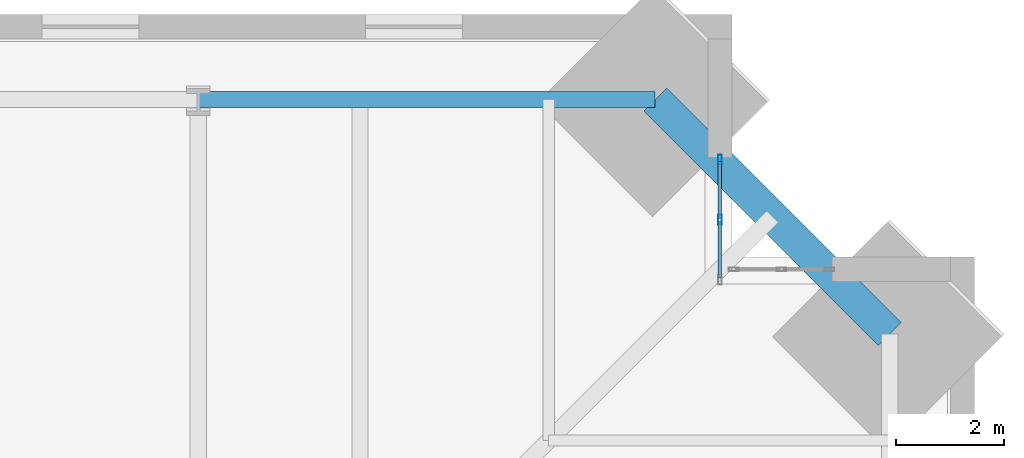
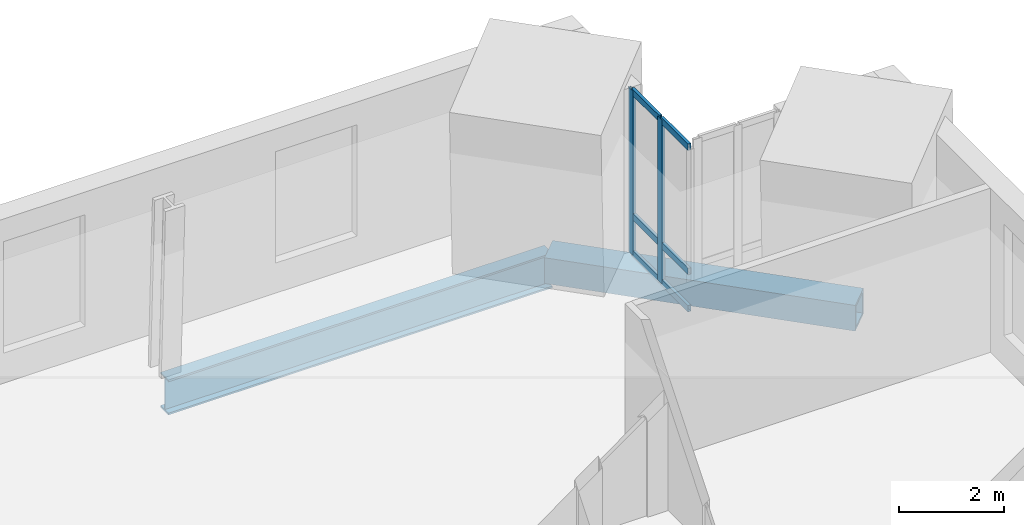
# One storey, part 11 of 18: 8 members, 2 beams, 1 element without a shape of its own.
"""IFC4 building model written with IfcOpenShell, lengths in metres."""

from ifc_helpers import new_model, si_unit, direction, frame, origin, origin_2d, place, context, subcontext, project, spatial, hollow_rectangle, i_section, extrude, material, material_profile, profile_set, type_object, element, aggregate, save


model = new_model("IFC4")

# Units and contexts
model_context = context("Model", 3, precision=1e-05, world=origin(), true_north=direction((0.0, 1.0)))
body_context = subcontext(model_context, "Body", "Model", "MODEL_VIEW")
ifc_project = project(units=[si_unit("LENGTHUNIT", "METRE"), si_unit("AREAUNIT", "SQUARE_METRE"), si_unit("VOLUMEUNIT", "CUBIC_METRE"), si_unit("PLANEANGLEUNIT", "RADIAN"), si_unit("MASSUNIT", "GRAM", prefix="KILO")], contexts=[model_context])

# Site, building, storey
site_placement = place(None, origin())
site = spatial("IfcSite", under=ifc_project, at=site_placement, CompositionType="ELEMENT")
building_placement = place(site_placement, origin())
building = spatial("IfcBuilding", under=site, at=building_placement, Name="Peilmerk Tower", CompositionType="ELEMENT")
storey_placement = place(building_placement, frame((0.0, 0.0, 249.800048828125)))
storey = spatial("IfcBuildingStorey", under=building, at=storey_placement, Name="L55", CompositionType="ELEMENT", Elevation=249.800048828125)

# Beams
ifc_material_1 = material(Name="Steel S355", Category="steel")
ifc_material_profile_1 = material_profile(ifc_material_1, i_section(OverallWidth=0.302978515625, OverallDepth=0.81396484375, WebThickness=0.02099609375, FlangeThickness=0.0400390625, at=origin_2d()), Name="HEM 800")
ifc_profile_set_1 = profile_set([ifc_material_profile_1], Name="Steel S355")
beam_type_1 = type_object("IfcBeamType", Name="B15 HEM 800 edge beam", PredefinedType="SPANDREL", material=ifc_profile_set_1)
beam_1_placement = place(storey_placement, frame((16.47412109375, 20.82421875, -0.5771484375), z_axis=(-1.0, 0.0, 0.0), x_axis=(0.0, -1.0, 0.0)))
element("IfcBeam", 1, at=beam_1_placement, inside=storey, type_object=beam_type_1, Name="Edge beam L55", PredefinedType="SPANDREL", context=body_context, shape_type="SweptSolid", body=[
    extrude(i_section(OverallWidth=0.302978515625, OverallDepth=0.81396484375, WebThickness=0.02099609375, FlangeThickness=0.0400390625, at=origin_2d()), origin(), (0.0, 0.0, 1.0), 8.47412109375),
])
ifc_material_2 = material(Name="Steel S460", Category="steel")
ifc_material_profile_2 = material_profile(ifc_material_2, hollow_rectangle(XDim=0.60009765625, YDim=0.60009765625, WallThickness=0.06005859375, at=origin_2d()), Name="BOX 600x600x60")
ifc_profile_set_2 = profile_set([ifc_material_profile_2], Name="Steel S460")
beam_type_2 = type_object("IfcBeamType", Name="B20 BOX 600x600x60 notch beam", PredefinedType="SPANDREL", material=ifc_profile_set_2)
beam_2_placement = place(storey_placement, frame((16.47412109375, 20.82421875, -0.469970703125), z_axis=(0.707106781187, -0.707106781187, 0.0), x_axis=(0.707106781187, 0.707106781187, 0.0)))
element("IfcBeam", 2, at=beam_2_placement, inside=storey, type_object=beam_type_2, Name="Notch beam L55", PredefinedType="SPANDREL", context=body_context, shape_type="SweptSolid", body=[
    extrude(hollow_rectangle(XDim=0.60009765625, YDim=0.60009765625, WallThickness=0.06005859375, at=origin_2d()), origin(), (0.0, 0.0, 1.0), 6.15185546875),
])

# Curtain wall, members
ifc_material_3 = material(Name="Aluminium stick curtain wall", Category="aluminium")
curtain_wall_type = type_object("IfcCurtainWallType", Name="CW4 stick curtain wall, 2250 module", PredefinedType="NOTDEFINED", material=ifc_material_3)
curtain_wall_placement = place(storey_placement, origin())
curtain_wall = element("IfcCurtainWall", 3, at=curtain_wall_placement, inside=storey, type_object=curtain_wall_type, Name="Curtain wall CW4 NEA L55", PredefinedType="NOTDEFINED")
ifc_material_4 = material(Name="Aluminium EN AW-6063 T6", Category="aluminium")
ifc_material_profile_3 = material_profile(ifc_material_4, hollow_rectangle(XDim=0.06494140625, YDim=0.179931640625, WallThickness=0.0029296875, at=origin_2d()), Name="AL 180x65x3")
ifc_profile_set_3 = profile_set([ifc_material_profile_3], Name="Aluminium EN AW-6063 T6")
member_type_1 = type_object("IfcMemberType", Name="CW4-M AL 180x65x3 mullion", PredefinedType="MULLION", material=ifc_profile_set_3)
member_1_placement = place(storey_placement, frame((17.675048828125, 18.59423828125, 0.0), z_axis=(0.0, 0.0, 1.0), x_axis=(-1.0, 0.0, 0.0)))
member_1 = element("IfcMember", 4, at=member_1_placement, type_object=member_type_1, Name="CW4 mullion 2", PredefinedType="MULLION", context=body_context, shape_type="SweptSolid", body=[
    extrude(hollow_rectangle(XDim=0.06494140625, YDim=0.179931640625, WallThickness=0.0029296875, at=origin_2d()), origin(), (0.0, 0.0, 1.0), 3.829833984375),
])
member_2_placement = place(storey_placement, frame((17.675048828125, 19.706298828125, 0.0), z_axis=(0.0, 0.0, 1.0), x_axis=(-1.0, 0.0, 0.0)))
member_2 = element("IfcMember", 5, at=member_2_placement, type_object=member_type_1, Name="CW4 mullion 3", PredefinedType="MULLION", context=body_context, shape_type="SweptSolid", body=[
    extrude(hollow_rectangle(XDim=0.06494140625, YDim=0.179931640625, WallThickness=0.0029296875, at=origin_2d()), origin(), (0.0, 0.0, 1.0), 3.829833984375),
])
ifc_material_profile_4 = material_profile(ifc_material_4, hollow_rectangle(XDim=0.06494140625, YDim=0.14990234375, WallThickness=0.0029296875, at=origin_2d()), Name="AL 150x65x3")
ifc_profile_set_4 = profile_set([ifc_material_profile_4], Name="Aluminium EN AW-6063 T6")
member_type_2 = type_object("IfcMemberType", Name="CW4-T AL 150x65x3 transom", PredefinedType="USERDEFINED", material=ifc_profile_set_4)
member_3_placement = place(storey_placement, frame((17.675048828125, 17.514892578125, 0.032470703125), z_axis=(0.0, 1.0, 0.0), x_axis=(-1.0, 0.0, 0.0)))
member_3 = element("IfcMember", 6, at=member_3_placement, type_object=member_type_2, Name="CW4 transom 1.1", ObjectType="TRANSOM", PredefinedType="USERDEFINED", context=body_context, shape_type="SweptSolid", body=[
    extrude(hollow_rectangle(XDim=0.06494140625, YDim=0.14990234375, WallThickness=0.0029296875, at=origin_2d()), origin(), (0.0, 0.0, 1.0), 1.046875),
])
member_4_placement = place(storey_placement, frame((17.675048828125, 17.514892578125, 0.89990234375), z_axis=(0.0, 1.0, 0.0), x_axis=(-1.0, 0.0, 0.0)))
member_4 = element("IfcMember", 7, at=member_4_placement, type_object=member_type_2, Name="CW4 transom 1.2", ObjectType="TRANSOM", PredefinedType="USERDEFINED", context=body_context, shape_type="SweptSolid", body=[
    extrude(hollow_rectangle(XDim=0.06494140625, YDim=0.14990234375, WallThickness=0.0029296875, at=origin_2d()), origin(), (0.0, 0.0, 1.0), 1.046875),
])
member_5_placement = place(storey_placement, frame((17.675048828125, 17.514892578125, 3.79736328125), z_axis=(0.0, 1.0, 0.0), x_axis=(-1.0, 0.0, 0.0)))
member_5 = element("IfcMember", 8, at=member_5_placement, type_object=member_type_2, Name="CW4 transom 1.3", ObjectType="TRANSOM", PredefinedType="USERDEFINED", context=body_context, shape_type="SweptSolid", body=[
    extrude(hollow_rectangle(XDim=0.06494140625, YDim=0.14990234375, WallThickness=0.0029296875, at=origin_2d()), origin(), (0.0, 0.0, 1.0), 1.046875),
])
member_6_placement = place(storey_placement, frame((17.675048828125, 18.626953125, 0.032470703125), z_axis=(0.0, 1.0, 0.0), x_axis=(-1.0, 0.0, 0.0)))
member_6 = element("IfcMember", 9, at=member_6_placement, type_object=member_type_2, Name="CW4 transom 2.1", ObjectType="TRANSOM", PredefinedType="USERDEFINED", context=body_context, shape_type="SweptSolid", body=[
    extrude(hollow_rectangle(XDim=0.06494140625, YDim=0.14990234375, WallThickness=0.0029296875, at=origin_2d()), origin(), (0.0, 0.0, 1.0), 1.046630859375),
])
member_7_placement = place(storey_placement, frame((17.675048828125, 18.626953125, 0.89990234375), z_axis=(0.0, 1.0, 0.0), x_axis=(-1.0, 0.0, 0.0)))
member_7 = element("IfcMember", 10, at=member_7_placement, type_object=member_type_2, Name="CW4 transom 2.2", ObjectType="TRANSOM", PredefinedType="USERDEFINED", context=body_context, shape_type="SweptSolid", body=[
    extrude(hollow_rectangle(XDim=0.06494140625, YDim=0.14990234375, WallThickness=0.0029296875, at=origin_2d()), origin(), (0.0, 0.0, 1.0), 1.046630859375),
])
member_8_placement = place(storey_placement, frame((17.675048828125, 18.626953125, 3.79736328125), z_axis=(0.0, 1.0, 0.0), x_axis=(-1.0, 0.0, 0.0)))
member_8 = element("IfcMember", 11, at=member_8_placement, type_object=member_type_2, Name="CW4 transom 2.3", ObjectType="TRANSOM", PredefinedType="USERDEFINED", context=body_context, shape_type="SweptSolid", body=[
    extrude(hollow_rectangle(XDim=0.06494140625, YDim=0.14990234375, WallThickness=0.0029296875, at=origin_2d()), origin(), (0.0, 0.0, 1.0), 1.046630859375),
])
aggregate(curtain_wall, [member_1, member_2, member_3, member_4, member_5, member_6, member_7, member_8])

save(model, "model.ifc")
